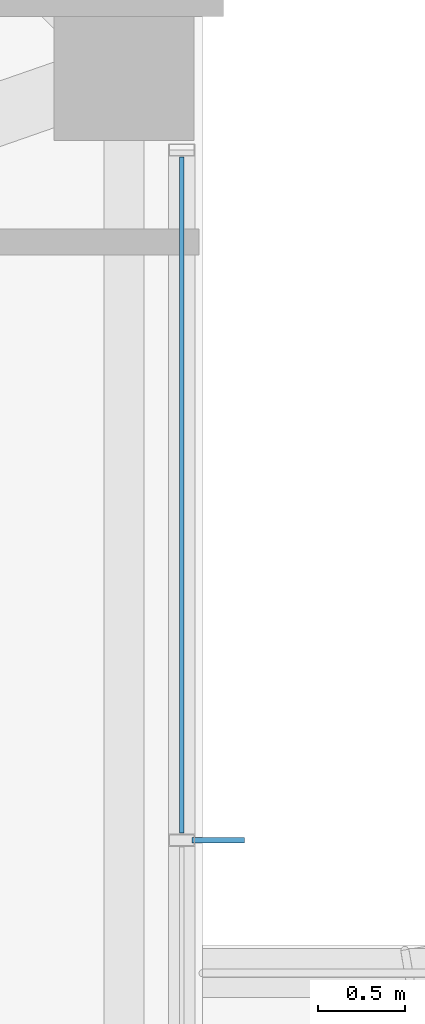
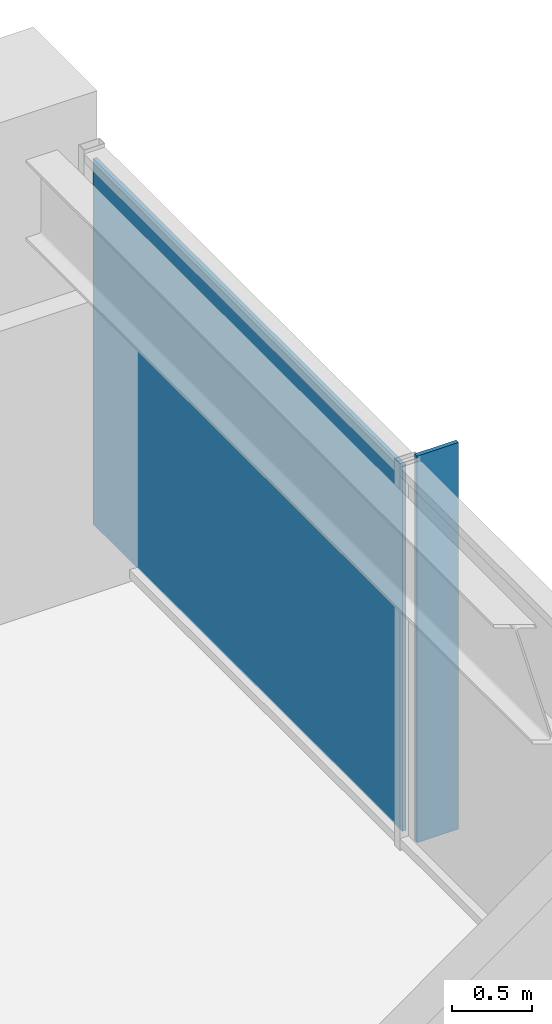
# One storey, part 26 of 34: 2 plates, 1 element without a shape of its own.
"""IFC4 building model written with IfcOpenShell, lengths in metres."""

from ifc_helpers import new_model, si_unit, direction, frame, origin, origin_2d, place, context, subcontext, project, spatial, rectangle, extrude, material, layer, layer_set, type_object, element, aggregate, save


model = new_model("IFC4")

# Units and contexts
model_context = context("Model", 3, precision=1e-05, world=origin(), true_north=direction((0.0, 1.0)))
body_context = subcontext(model_context, "Body", "Model", "MODEL_VIEW")
ifc_project = project(units=[si_unit("LENGTHUNIT", "METRE"), si_unit("AREAUNIT", "SQUARE_METRE"), si_unit("VOLUMEUNIT", "CUBIC_METRE"), si_unit("PLANEANGLEUNIT", "RADIAN"), si_unit("MASSUNIT", "GRAM", prefix="KILO")], contexts=[model_context])

# Site, building, storey
site_placement = place(None, origin())
site = spatial("IfcSite", under=ifc_project, at=site_placement, CompositionType="ELEMENT")
building_placement = place(site_placement, origin())
building = spatial("IfcBuilding", under=site, at=building_placement, Name="Kolvaren Belvedere", CompositionType="ELEMENT")
storey_placement = place(building_placement, frame((0.0, 0.0, 229.5)))
storey = spatial("IfcBuildingStorey", under=building, at=storey_placement, Name="L67", CompositionType="ELEMENT", Elevation=229.5)

# Curtain wall, plate
ifc_material_1 = material(Name="Anodised pale-metal aluminium AA 6063-T6", Category="aluminium")
curtain_wall_type = type_object("IfcCurtainWallType", Name="CW-Z5-HIGH", PredefinedType="NOTDEFINED", material=ifc_material_1)
curtain_wall_placement = place(storey_placement, origin())
curtain_wall = element("IfcCurtainWall", 1, at=curtain_wall_placement, inside=storey, type_object=curtain_wall_type, Name="L67 Unitised Curtain Wall FCW-L67-E1-B1", PredefinedType="NOTDEFINED")
ifc_material_2 = material(Name="Low-iron triple insulated glass", Category="glass")
ifc_layer_1 = layer(ifc_material_2, 0.028076171875)
ifc_layer_set_1 = layer_set([ifc_layer_1], Name="Low-iron triple insulated glass")
plate_type_1 = type_object("IfcPlateType", Name="CW-PNL-VIS28", PredefinedType="CURTAIN_PANEL", material=ifc_layer_set_1)
plate_1_placement = place(storey_placement, frame((20.280029296875, 10.972412109375, 0.080078125), z_axis=(0.0, 0.0, 1.0), x_axis=(0.0, -1.0, 0.0)))
plate_1 = element("IfcPlate", 2, at=plate_1_placement, type_object=plate_type_1, Name="FCW-L67-E1-B1 Vision Glazing Panel 1", PredefinedType="CURTAIN_PANEL", context=body_context, shape_type="SweptSolid", body=[
    extrude(rectangle(XDim=3.864990234375, YDim=0.028076171875, at=origin_2d()), origin(), (0.0, 0.0, 1.0), 2.7900390625),
])
aggregate(curtain_wall, [plate_1])

# Plate
ifc_material_3 = material(Name="Anodised pale-metal aluminium AA 6063-T6", Category="aluminium")
ifc_layer_2 = layer(ifc_material_3, 0.030029296875)
ifc_layer_set_2 = layer_set([ifc_layer_2], Name="Anodised pale-metal aluminium AA 6063-T6")
plate_type_2 = type_object("IfcPlateType", Name="FIN-VERT-300", PredefinedType="USERDEFINED", material=ifc_layer_set_2)
plate_2_placement = place(storey_placement, frame((20.489990234375, 9.0, 0.0), z_axis=(0.0, 0.0, 1.0), x_axis=(1.0, 0.0, 0.0)))
element("IfcPlate", 3, at=plate_2_placement, inside=storey, type_object=plate_type_2, Name="L67 Pale-Metal Vertical Shading Fin FCW-L67-E1-B1-1", ObjectType="VERTICAL FIN", PredefinedType="USERDEFINED", context=body_context, shape_type="SweptSolid", body=[
    extrude(rectangle(XDim=0.300048828125, YDim=0.030029296875, at=origin_2d()), origin(), (0.0, 0.0, 1.0), 2.949951171875),
])

save(model, "model.ifc")
